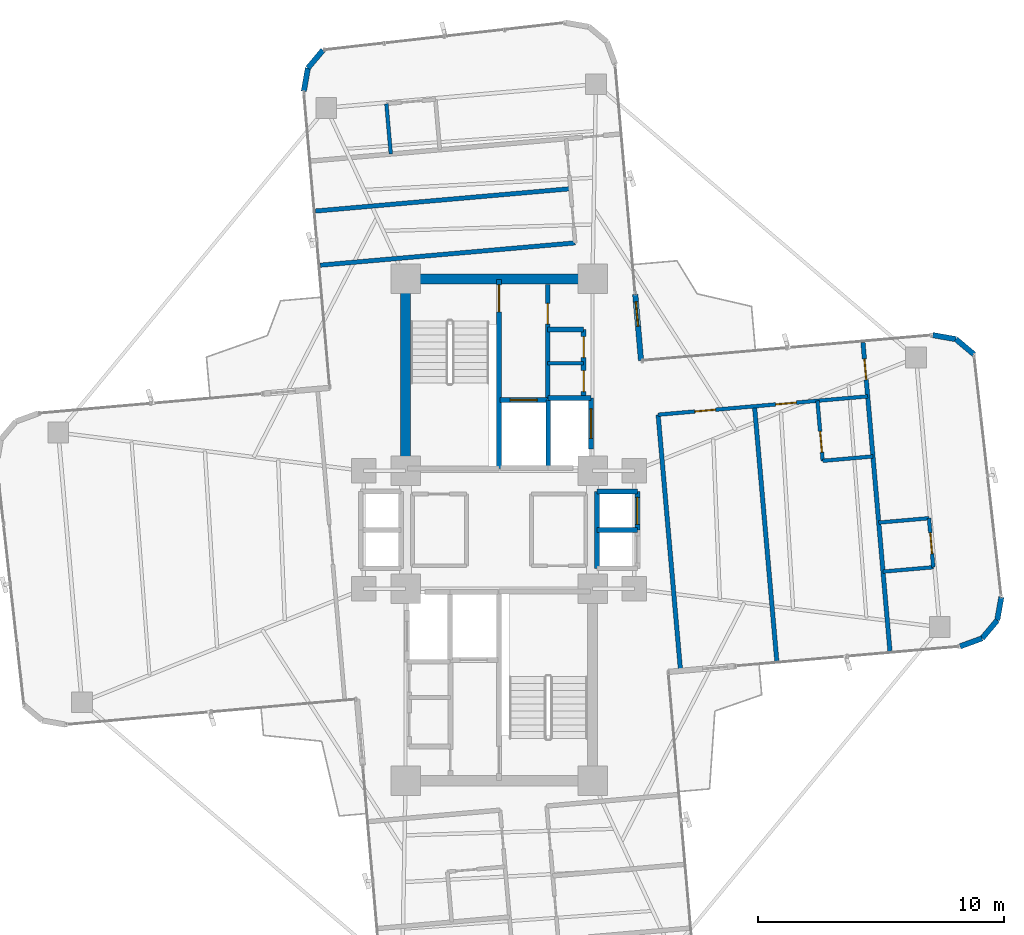
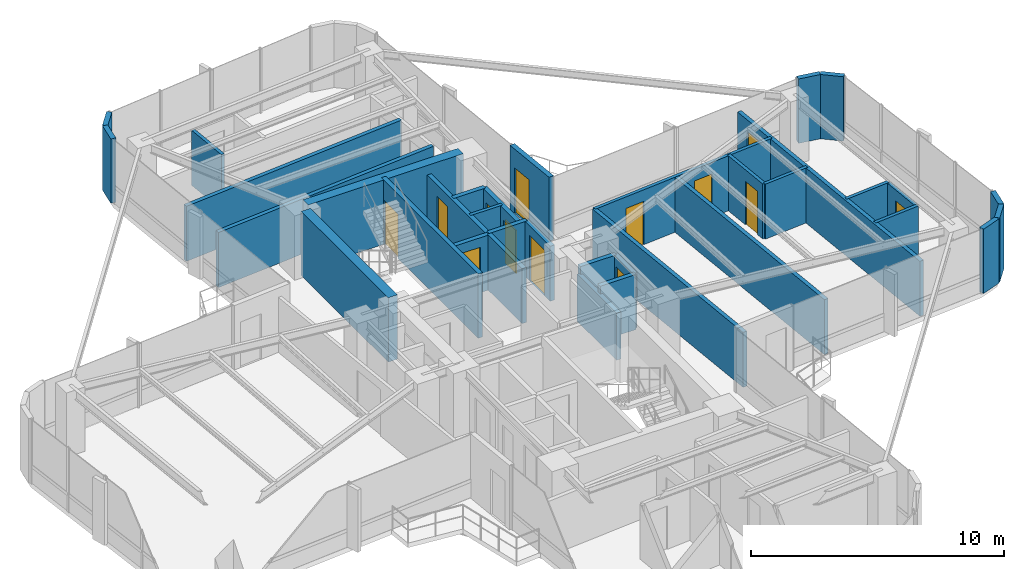
# One storey, part 22 of 24: 35 walls, 13 doors, 13 openings.
"""IFC4 building model written with IfcOpenShell, lengths in metres."""

from ifc_helpers import new_model, si_unit, direction, frame, frame_2d, origin, origin_2d, place, context, subcontext, project, spatial, rectangle, extrude, source, transform, mapped, material, layer, layer_set, type_object, element, fill, save


model = new_model("IFC4")

# Units and contexts
model_context = context("Model", 3, precision=1e-05, world=origin(), true_north=direction((0.0, 1.0)))
body_context = subcontext(model_context, "Body", "Model", "MODEL_VIEW")
ifc_project = project(units=[si_unit("LENGTHUNIT", "METRE"), si_unit("AREAUNIT", "SQUARE_METRE"), si_unit("VOLUMEUNIT", "CUBIC_METRE"), si_unit("PLANEANGLEUNIT", "RADIAN"), si_unit("MASSUNIT", "GRAM", prefix="KILO")], contexts=[model_context])

# Site, building, storey
site_placement = place(None, origin())
site = spatial("IfcSite", under=ifc_project, at=site_placement, CompositionType="ELEMENT")
building_placement = place(site_placement, origin())
building = spatial("IfcBuilding", under=site, at=building_placement, Name="Sahyath Konkavel Grand Hotel", CompositionType="ELEMENT")
storey_placement = place(building_placement, frame((0.0, 0.0, 150.60009765625)))
storey = spatial("IfcBuildingStorey", under=building, at=storey_placement, Name="L41", CompositionType="ELEMENT", Elevation=150.60009765625)

# Walls
ifc_material_1 = material(Name="Concrete C50/60", Category="concrete")
ifc_layer_1 = layer(ifc_material_1, 0.419921875)
ifc_layer_set_1 = layer_set([ifc_layer_1], Name="Concrete C50/60")
wall_type_1 = type_object("IfcWallType", Name="CWALL-420", PredefinedType="SHEAR", material=ifc_layer_set_1)
wall_1_placement = place(storey_placement, frame((-3.550048828125, 10.199951171875, 0.0), z_axis=(0.0, 0.0, 1.0), x_axis=(1.0, 0.0, 0.0)))
element("IfcWall", 1, at=wall_1_placement, inside=storey, type_object=wall_type_1, Name="L41 North Core Shear Wall N", PredefinedType="SHEAR", context=body_context, shape_type="SweptSolid", body=[
    extrude(rectangle(XDim=7.10009765625, YDim=0.419921875, at=frame_2d((3.550048828125, 0.0))), origin(), (0.0, 0.0, 1.0), 3.10986328125),
])
wall_2_placement = place(storey_placement, frame((-3.800048828125, 2.85009765625, 0.0), z_axis=(0.0, 0.0, 1.0), x_axis=(0.0, 1.0, 0.0)))
element("IfcWall", 2, at=wall_2_placement, inside=storey, type_object=wall_type_1, Name="L41 North Core Shear Wall W", PredefinedType="SHEAR", context=body_context, shape_type="SweptSolid", body=[
    extrude(rectangle(XDim=6.89990234375, YDim=0.419921875, at=frame_2d((3.449951171875, 0.0))), origin(), (0.0, 0.0, 1.0), 3.10986328125),
])
ifc_material_2 = material(Name="Warm Buff Sandstone Insulated Concrete C40/50", Category="masonry")
ifc_layer_2 = layer(ifc_material_2, 0.219970703125)
ifc_layer_set_2 = layer_set([ifc_layer_2], Name="Warm Buff Sandstone Insulated Concrete C40/50")
wall_type_2 = type_object("IfcWallType", Name="WLL-BALC-THRESH", PredefinedType="STANDARD", material=ifc_layer_set_2)
wall_3_placement = place(storey_placement, frame((18.73388671875, -4.735107421875, 0.0), z_axis=(0.0, 0.0, 1.0), x_axis=(0.939741306239, 0.34188635151, 0.0)))
element("IfcWall", 3, at=wall_3_placement, inside=storey, type_object=wall_type_2, Name="L41 Rounded Corner Sandstone Pier 1", PredefinedType="STANDARD", context=body_context, shape_type="SweptSolid", body=[
    extrude(rectangle(XDim=0.95751953125, YDim=0.219970703125, at=frame_2d((0.478759765625, 0.0))), origin(), (0.0, 0.0, 1.0), 3.10986328125),
])
for number, where, z_axis, x_axis, name in (
    (4, (19.6337890625, -4.40771484375, 0.0), (0.0, 0.0, 1.0), (0.642863236823, 0.765980978054, 0.0), "L41 Rounded Corner Sandstone Pier 2"),
    (5, (20.24951171875, -3.674072265625, 0.0), (0.0, 0.0, 1.0), (0.173610811841, 0.984814340885, 0.0), "L41 Rounded Corner Sandstone Pier 3"),
):
    element("IfcWall", number, at=place(storey_placement, frame(where, z_axis=z_axis, x_axis=x_axis)), inside=storey, type_object=wall_type_2, Name=name, PredefinedType="STANDARD", context=body_context, shape_type="SweptSolid", body=[
        extrude(rectangle(XDim=0.957763671875, YDim=0.219970703125, at=frame_2d((0.47900390625, 0.0))), origin(), (0.0, 0.0, 1.0), 3.10986328125),
    ])
wall_4_placement = place(storey_placement, frame((19.3037109375, 7.134521484375, 0.0), z_axis=(0.0, 0.0, 1.0), x_axis=(-0.766001159887, 0.642839189107, 0.0)))
element("IfcWall", 6, at=wall_4_placement, inside=storey, type_object=wall_type_2, Name="L41 Rounded Corner Sandstone Pier 5", PredefinedType="STANDARD", context=body_context, shape_type="SweptSolid", body=[
    extrude(rectangle(XDim=0.95751953125, YDim=0.219970703125, at=frame_2d((0.478759765625, 0.0))), origin(), (0.0, 0.0, 1.0), 3.10986328125),
])
wall_5_placement = place(storey_placement, frame((18.5703125, 7.75, 0.0), z_axis=(0.0, 0.0, 1.0), x_axis=(-0.984770724397, 0.173858046606, 0.0)))
element("IfcWall", 7, at=wall_5_placement, inside=storey, type_object=wall_type_2, Name="L41 Rounded Corner Sandstone Pier 6", PredefinedType="STANDARD", context=body_context, shape_type="SweptSolid", body=[
    extrude(rectangle(XDim=0.957763671875, YDim=0.219970703125, at=frame_2d((0.47900390625, 0.0))), origin(), (0.0, 0.0, 1.0), 3.10986328125),
])

# Wall, opening, door
wall_6_placement = place(storey_placement, frame((5.7724609375, 6.87939453125, 0.0), z_axis=(0.0, 0.0, 1.0), x_axis=(-0.087168071984, 0.996193619346, 0.0)))
wall_6 = element("IfcWall", 8, at=wall_6_placement, inside=storey, type_object=wall_type_2, Name="L41 Winter-Garden Threshold Wall 8", PredefinedType="STANDARD", context=body_context, shape_type="SweptSolid", body=[
    extrude(rectangle(XDim=2.699951171875, YDim=0.219970703125, at=frame_2d((1.35009765625, 0.0))), origin(), (0.0, 0.0, 1.0), 3.10986328125),
])
opening_1_placement = place(wall_6_placement, frame((1.39990234375, 0.0, 0.0)))
opening_1 = element("IfcOpeningElement", 9, at=opening_1_placement, cuts=wall_6, Name="Opening D-TR1", PredefinedType="OPENING", context=body_context, shape_type="SweptSolid", body=[
    extrude(rectangle(XDim=1.0, YDim=2.199951171875, at=frame_2d((0.5, 1.10009765625))), frame((0.0, 0.1201171875, 0.0), z_axis=(0.0, -1.0, 0.0), x_axis=(1.0, 0.0, 0.0)), (0.0, 0.0, 1.0), 0.239990234375),
])
ifc_material_3 = material(Name="Anodised Bronze Aluminium & Low-E Glazing", Category="aluminium")
door_type_1 = type_object("IfcDoorType", Name="DR-TERRACE-1000", OperationType="NOTDEFINED", PredefinedType="DOOR", material=ifc_material_3)
shared_shape_1 = source(origin(), body_context, "Body", "SweptSolid", [
    extrude(rectangle(XDim=1.0, YDim=0.050048828125, at=origin_2d()), origin(), (0.0, 0.0, 1.0), 2.199951171875),
])
door_1_placement = place(opening_1_placement, frame((0.5, 0.0, 0.0)))
door_1 = element("IfcDoor", 10, at=door_1_placement, inside=storey, type_object=door_type_1, Name="L41 Winter-Garden Terrace Door 8", OperationType="SINGLE_SWING_LEFT", OverallHeight=2.199951171875, OverallWidth=1.0, PredefinedType="DOOR", context=body_context, shape_type="MappedRepresentation", body=[
    mapped(shared_shape_1, transform((0.0, 0.0, 0.0), scale=1.0)),
])
fill(opening_1, door_1)

# Walls
for number, where, z_axis, x_axis, name in (
    (11, (-7.152099609375, 19.5029296875, 0.0), (0.0, 0.0, 1.0), (-0.642713642115, -0.766106503196, 0.0), "L41 Rounded Corner Sandstone Pier 13"),
    (12, (-7.767578125, 18.769287109375, 0.0), (0.0, 0.0, 1.0), (-0.173654409999, -0.984806654064, 0.0), "L41 Rounded Corner Sandstone Pier 14"),
):
    element("IfcWall", number, at=place(storey_placement, frame(where, z_axis=z_axis, x_axis=x_axis)), inside=storey, type_object=wall_type_2, Name=name, PredefinedType="STANDARD", context=body_context, shape_type="SweptSolid", body=[
        extrude(rectangle(XDim=0.95751953125, YDim=0.219970703125, at=frame_2d((0.478759765625, 0.0))), origin(), (0.0, 0.0, 1.0), 3.10986328125),
    ])

# Wall, opening, door
ifc_material_4 = material(Name="Concrete C40/50", Category="concrete")
ifc_layer_3 = layer(ifc_material_4, 0.199951171875)
ifc_layer_set_3 = layer_set([ifc_layer_3], Name="Concrete C40/50")
wall_type_3 = type_object("IfcWallType", Name="WLL-CORE-200", PredefinedType="SOLIDWALL", material=ifc_layer_set_3)
wall_7_placement = place(storey_placement, frame((0.0, 2.5, 0.0), z_axis=(0.0, 0.0, 1.0), x_axis=(0.0, 1.0, 0.0)))
wall_7 = element("IfcWall", 13, at=wall_7_placement, inside=storey, type_object=wall_type_3, Name="L41 Stair ST-1 Shaft Wall E", PredefinedType="SOLIDWALL", context=body_context, shape_type="SweptSolid", body=[
    extrude(rectangle(XDim=7.679931640625, YDim=0.199951171875, at=frame_2d((3.83984375, 0.0))), origin(), (0.0, 0.0, 1.0), 3.10986328125),
])
opening_2_placement = place(wall_7_placement, frame((6.360107421875, 0.0, 0.0)))
opening_2 = element("IfcOpeningElement", 14, at=opening_2_placement, cuts=wall_7, Name="Opening D-F12B", PredefinedType="OPENING", context=body_context, shape_type="SweptSolid", body=[
    extrude(rectangle(XDim=1.10009765625, YDim=2.14990234375, at=frame_2d((0.550048828125, 1.074951171875))), frame((0.0, 0.10986328125, 0.0), z_axis=(0.0, -1.0, 0.0), x_axis=(1.0, 0.0, 0.0)), (0.0, 0.0, 1.0), 0.219970703125),
])
ifc_material_5 = material(Name="Steel E350 Smokeproof Fire Door", Category="steel")
door_type_2 = type_object("IfcDoorType", Name="DR-FD120-1100", OperationType="NOTDEFINED", PredefinedType="DOOR", material=ifc_material_5)
shared_shape_2 = source(origin(), body_context, "Body", "SweptSolid", [
    extrude(rectangle(XDim=1.10009765625, YDim=0.050048828125, at=origin_2d()), origin(), (0.0, 0.0, 1.0), 2.14990234375),
])
door_2_placement = place(opening_2_placement, frame((0.550048828125, 0.0, 0.0)))
door_2 = element("IfcDoor", 15, at=door_2_placement, inside=storey, type_object=door_type_2, Name="L41 Stair ST-1 Fire Door", OperationType="SINGLE_SWING_LEFT", OverallHeight=2.14990234375, OverallWidth=1.10009765625, PredefinedType="DOOR", context=body_context, shape_type="MappedRepresentation", body=[
    mapped(shared_shape_2, transform((0.0, 0.0, 0.0), scale=1.0)),
])
fill(opening_2, door_2)

wall_8_placement = place(storey_placement, frame((1.97998046875, 5.320068359375, 0.0), z_axis=(0.0, 0.0, 1.0), x_axis=(0.0, 1.0, 0.0)))
wall_8 = element("IfcWall", 16, at=wall_8_placement, inside=storey, type_object=wall_type_3, Name="L41 North Firefighting Lobby Wall E", PredefinedType="SOLIDWALL", context=body_context, shape_type="SweptSolid", body=[
    extrude(rectangle(XDim=4.659912109375, YDim=0.199951171875, at=frame_2d((2.330078125, 0.0))), origin(), (0.0, 0.0, 1.0), 2.659912109375),
])
opening_3_placement = place(wall_8_placement, frame((3.0400390625, 0.0, 0.0)))
opening_3 = element("IfcOpeningElement", 17, at=opening_3_placement, cuts=wall_8, Name="Opening D-F12D", PredefinedType="OPENING", context=body_context, shape_type="SweptSolid", body=[
    extrude(rectangle(XDim=0.85009765625, YDim=2.10009765625, at=frame_2d((0.425048828125, 1.050048828125))), frame((0.0, 0.10986328125, 0.0), z_axis=(0.0, -1.0, 0.0), x_axis=(1.0, 0.0, 0.0)), (0.0, 0.0, 1.0), 0.219970703125),
])
ifc_material_6 = material(Name="Steel E350 Core Fire Door", Category="steel")
door_type_3 = type_object("IfcDoorType", Name="DR-FD120-850", OperationType="NOTDEFINED", PredefinedType="DOOR", material=ifc_material_6)
shared_shape_3 = source(origin(), body_context, "Body", "SweptSolid", [
    extrude(rectangle(XDim=0.85009765625, YDim=0.050048828125, at=origin_2d()), origin(), (0.0, 0.0, 1.0), 2.10009765625),
])
door_3_placement = place(opening_3_placement, frame((0.425048828125, 0.0, 0.0)))
door_3 = element("IfcDoor", 18, at=door_3_placement, inside=storey, type_object=door_type_3, Name="L41 North Firefighting Lobby Door", OperationType="SINGLE_SWING_LEFT", OverallHeight=2.10009765625, OverallWidth=0.85009765625, PredefinedType="DOOR", context=body_context, shape_type="MappedRepresentation", body=[
    mapped(shared_shape_3, transform((0.0, 0.0, 0.0), scale=1.0)),
])
fill(opening_3, door_3)

# Wall
wall_9_placement = place(storey_placement, frame((2.0, 2.5, 0.0), z_axis=(0.0, 0.0, 1.0), x_axis=(0.0, 1.0, 0.0)))
element("IfcWall", 19, at=wall_9_placement, inside=storey, type_object=wall_type_3, Name="L41 Partition SH-FFL1-E", PredefinedType="SOLIDWALL", context=body_context, shape_type="SweptSolid", body=[
    extrude(rectangle(XDim=2.780029296875, YDim=0.199951171875, at=frame_2d((1.39013671875, 0.0))), origin(), (0.0, 0.0, 1.0), 2.659912109375),
])

# Wall, opening, door
wall_10_placement = place(storey_placement, frame((0.050048828125, 5.280029296875, 0.0), z_axis=(0.0, 0.0, 1.0), x_axis=(1.0, 0.0, 0.0)))
wall_10 = element("IfcWall", 20, at=wall_10_placement, inside=storey, type_object=wall_type_3, Name="L41 Partition SH-FFL1-N", PredefinedType="SOLIDWALL", context=body_context, shape_type="SweptSolid", body=[
    extrude(rectangle(XDim=1.929931640625, YDim=0.199951171875, at=frame_2d((0.96484375, 0.0))), origin(), (0.0, 0.0, 1.0), 2.659912109375),
])
opening_4_placement = place(wall_10_placement, frame((0.39990234375, 0.0, 0.0)))
opening_4 = element("IfcOpeningElement", 21, at=opening_4_placement, cuts=wall_10, Name="Opening LD-11", PredefinedType="OPENING", context=body_context, shape_type="SweptSolid", body=[
    extrude(rectangle(XDim=1.10009765625, YDim=2.199951171875, at=frame_2d((0.550048828125, 1.10009765625))), frame((0.0, 0.10986328125, 0.0), z_axis=(0.0, -1.0, 0.0), x_axis=(1.0, 0.0, 0.0)), (0.0, 0.0, 1.0), 0.219970703125),
])
ifc_material_7 = material(Name="Bronze Lift Landing Door 1100")
door_type_4 = type_object("IfcDoorType", Name="DR-LIFT-1100", OperationType="DOUBLE_DOOR_SLIDING", PredefinedType="DOOR", material=ifc_material_7)
shared_shape_4 = source(origin(), body_context, "Body", "SweptSolid", [
    extrude(rectangle(XDim=1.10009765625, YDim=0.050048828125, at=origin_2d()), origin(), (0.0, 0.0, 1.0), 2.199951171875),
])
door_4_placement = place(opening_4_placement, frame((0.550048828125, 0.0, 0.0)))
door_4 = element("IfcDoor", 22, at=door_4_placement, inside=storey, type_object=door_type_4, Name="L41 Lift FFL-1 Landing Door", OperationType="DOUBLE_DOOR_SLIDING", OverallHeight=2.199951171875, OverallWidth=1.10009765625, PredefinedType="DOOR", context=body_context, shape_type="MappedRepresentation", body=[
    mapped(shared_shape_4, transform((0.0, 0.0, 0.0), scale=1.0)),
])
fill(opening_4, door_4)

# Wall
wall_11_placement = place(storey_placement, frame((2.0, 5.360107421875, 0.0), z_axis=(0.0, 0.0, 1.0), x_axis=(1.0, 0.0, 0.0)))
element("IfcWall", 23, at=wall_11_placement, inside=storey, type_object=wall_type_3, Name="L41 Partition SH-SVL1-N", PredefinedType="SOLIDWALL", context=body_context, shape_type="SweptSolid", body=[
    extrude(rectangle(XDim=1.739990234375, YDim=0.199951171875, at=frame_2d((0.8701171875, 0.0))), origin(), (0.0, 0.0, 1.0), 2.659912109375),
])

# Wall, opening, door
wall_12_placement = place(storey_placement, frame((3.739990234375, 3.280029296875, 0.0), z_axis=(0.0, 0.0, 1.0), x_axis=(0.0, 1.0, 0.0)))
wall_12 = element("IfcWall", 24, at=wall_12_placement, inside=storey, type_object=wall_type_3, Name="L41 Partition SH-SVL1-E", PredefinedType="SOLIDWALL", context=body_context, shape_type="SweptSolid", body=[
    extrude(rectangle(XDim=2.080078125, YDim=0.199951171875, at=frame_2d((1.0400390625, 0.0))), origin(), (0.0, 0.0, 1.0), 2.659912109375),
])
opening_5_placement = place(wall_12_placement, frame((0.43994140625, 0.0, 0.0)))
opening_5 = element("IfcOpeningElement", 25, at=opening_5_placement, cuts=wall_12, Name="Opening LD-12", PredefinedType="OPENING", context=body_context, shape_type="SweptSolid", body=[
    extrude(rectangle(XDim=1.199951171875, YDim=2.199951171875, at=frame_2d((0.60009765625, 1.10009765625))), frame((0.0, 0.10986328125, 0.0), z_axis=(0.0, -1.0, 0.0), x_axis=(1.0, 0.0, 0.0)), (0.0, 0.0, 1.0), 0.219970703125),
])
ifc_material_8 = material(Name="Stainless Steel Lift Landing Door 1200", Category="steel")
door_type_5 = type_object("IfcDoorType", Name="DR-LIFT-1200", OperationType="DOUBLE_DOOR_SLIDING", PredefinedType="DOOR", material=ifc_material_8)
shared_shape_5 = source(origin(), body_context, "Body", "SweptSolid", [
    extrude(rectangle(XDim=1.199951171875, YDim=0.050048828125, at=origin_2d()), origin(), (0.0, 0.0, 1.0), 2.199951171875),
])
door_5_placement = place(opening_5_placement, frame((0.60009765625, 0.0, 0.0)))
door_5 = element("IfcDoor", 26, at=door_5_placement, inside=storey, type_object=door_type_5, Name="L41 Service Lift SVL-1 Landing Door", OperationType="DOUBLE_DOOR_SLIDING", OverallHeight=2.199951171875, OverallWidth=1.199951171875, PredefinedType="DOOR", context=body_context, shape_type="MappedRepresentation", body=[
    mapped(shared_shape_5, transform((0.0, 0.0, 0.0), scale=1.0)),
])
fill(opening_5, door_5)

# Walls
wall_13_placement = place(storey_placement, frame((3.97998046875, -1.56005859375, 0.0), z_axis=(0.0, 0.0, 1.0), x_axis=(0.0, 1.0, 0.0)))
element("IfcWall", 27, at=wall_13_placement, inside=storey, type_object=wall_type_3, Name="L41 Partition SH-PL56-W", PredefinedType="SOLIDWALL", context=body_context, shape_type="SweptSolid", body=[
    extrude(rectangle(XDim=3.1201171875, YDim=0.199951171875, at=frame_2d((1.56005859375, 0.0))), origin(), (0.0, 0.0, 1.0), 2.27978515625),
])
for number, where, z_axis, x_axis, name in (
    (28, (3.97998046875, 1.56005859375, 0.0), (0.0, 0.0, 1.0), (1.0, 0.0, 0.0), "L41 Partition SH-PL56-N"),
    (29, (3.97998046875, 0.0, 0.0), (0.0, 0.0, 1.0), (1.0, 0.0, 0.0), "L41 Partition SH-PL56-M"),
):
    element("IfcWall", number, at=place(storey_placement, frame(where, z_axis=z_axis, x_axis=x_axis)), inside=storey, type_object=wall_type_3, Name=name, PredefinedType="SOLIDWALL", context=body_context, shape_type="SweptSolid", body=[
        extrude(rectangle(XDim=1.64013671875, YDim=0.199951171875, at=frame_2d((0.820068359375, 0.0))), origin(), (0.0, 0.0, 1.0), 2.659912109375),
    ])

# Wall, opening, door
wall_14_placement = place(storey_placement, frame((5.6201171875, 0.0, 0.0), z_axis=(0.0, 0.0, 1.0), x_axis=(0.0, 1.0, 0.0)))
wall_14 = element("IfcWall", 30, at=wall_14_placement, inside=storey, type_object=wall_type_3, Name="L41 Partition SH-PL5-E", PredefinedType="SOLIDWALL", context=body_context, shape_type="SweptSolid", body=[
    extrude(rectangle(XDim=1.56005859375, YDim=0.199951171875, at=frame_2d((0.780029296875, 0.0))), origin(), (0.0, 0.0, 1.0), 2.659912109375),
])
opening_6_placement = place(wall_14_placement, frame((0.219970703125, 0.0, 0.0)))
opening_6 = element("IfcOpeningElement", 31, at=opening_6_placement, cuts=wall_14, Name="Opening LD-11", PredefinedType="OPENING", context=body_context, shape_type="SweptSolid", body=[
    extrude(rectangle(XDim=1.10009765625, YDim=2.199951171875, at=frame_2d((0.550048828125, 1.10009765625))), frame((0.0, 0.10986328125, 0.0), z_axis=(0.0, -1.0, 0.0), x_axis=(1.0, 0.0, 0.0)), (0.0, 0.0, 1.0), 0.219970703125),
])
door_6_placement = place(opening_6_placement, frame((0.550048828125, 0.0, 0.0)))
door_6 = element("IfcDoor", 32, at=door_6_placement, inside=storey, type_object=door_type_4, Name="L41 High-Rise Lift PL-5 Landing Door", OperationType="DOUBLE_DOOR_SLIDING", OverallHeight=2.199951171875, OverallWidth=1.10009765625, PredefinedType="DOOR", context=body_context, shape_type="MappedRepresentation", body=[
    mapped(shared_shape_4, transform((0.0, 0.0, 0.0), scale=1.0)),
])
fill(opening_6, door_6)

# Wall, openings, doors
wall_15_placement = place(storey_placement, frame((3.43994140625, 5.3798828125, 0.0), z_axis=(0.0, 0.0, 1.0), x_axis=(0.0, 1.0, 0.0)))
wall_15 = element("IfcWall", 33, at=wall_15_placement, inside=storey, type_object=wall_type_3, Name="L41 Reclaimed North Core Wall E", PredefinedType="SOLIDWALL", context=body_context, shape_type="SweptSolid", body=[
    extrude(rectangle(XDim=2.77001953125, YDim=0.199951171875, at=frame_2d((1.385009765625, 0.0))), origin(), (0.0, 0.0, 1.0), 2.659912109375),
])
opening_7_placement = place(wall_15_placement, frame((0.239990234375, 0.0, 0.0)))
opening_7 = element("IfcOpeningElement", 34, at=opening_7_placement, cuts=wall_15, Name="Opening D-F06D", PredefinedType="OPENING", context=body_context, shape_type="SweptSolid", body=[
    extrude(rectangle(XDim=0.85009765625, YDim=2.10009765625, at=frame_2d((0.425048828125, 1.050048828125))), frame((0.0, 0.10986328125, 0.0), z_axis=(0.0, -1.0, 0.0), x_axis=(1.0, 0.0, 0.0)), (0.0, 0.0, 1.0), 0.219970703125),
])
opening_8_placement = place(wall_15_placement, frame((1.6201171875, 0.0, 0.0)))
opening_8 = element("IfcOpeningElement", 35, at=opening_8_placement, cuts=wall_15, Name="Opening D-F06D", PredefinedType="OPENING", context=body_context, shape_type="SweptSolid", body=[
    extrude(rectangle(XDim=0.85009765625, YDim=2.10009765625, at=frame_2d((0.425048828125, 1.050048828125))), frame((0.0, 0.10986328125, 0.0), z_axis=(0.0, -1.0, 0.0), x_axis=(1.0, 0.0, 0.0)), (0.0, 0.0, 1.0), 0.219970703125),
])
ifc_material_9 = material(Name="Fire-Rated Shaft Access Door")
door_type_6 = type_object("IfcDoorType", Name="DR-FD60-850", OperationType="NOTDEFINED", PredefinedType="DOOR", material=ifc_material_9)
door_7_placement = place(opening_7_placement, frame((0.425048828125, 0.0, 0.0)))
door_7 = element("IfcDoor", 36, at=door_7_placement, inside=storey, type_object=door_type_6, Name="L41 Door NC-REC1-D", OperationType="SINGLE_SWING_LEFT", OverallHeight=2.10009765625, OverallWidth=0.85009765625, PredefinedType="DOOR", context=body_context, shape_type="MappedRepresentation", body=[
    mapped(shared_shape_3, transform((0.0, 0.0, 0.0), scale=1.0)),
])
fill(opening_7, door_7)
door_8_placement = place(opening_8_placement, frame((0.425048828125, 0.0, 0.0)))
door_8 = element("IfcDoor", 37, at=door_8_placement, inside=storey, type_object=door_type_6, Name="L41 Door NC-REC2-D", OperationType="SINGLE_SWING_RIGHT", OverallHeight=2.10009765625, OverallWidth=0.85009765625, PredefinedType="DOOR", context=body_context, shape_type="MappedRepresentation", body=[
    mapped(shared_shape_3, transform((0.0, 0.0, 0.0), scale=1.0)),
])
fill(opening_8, door_8)

# Walls
wall_16_placement = place(storey_placement, frame((1.97998046875, 8.14990234375, 0.0), z_axis=(0.0, 0.0, 1.0), x_axis=(1.0, 0.0, 0.0)))
element("IfcWall", 38, at=wall_16_placement, inside=storey, type_object=wall_type_3, Name="L41 Partition NC-REC-N", PredefinedType="SOLIDWALL", context=body_context, shape_type="SweptSolid", body=[
    extrude(rectangle(XDim=1.4599609375, YDim=0.199951171875, at=frame_2d((0.72998046875, 0.0))), origin(), (0.0, 0.0, 1.0), 2.659912109375),
])
ifc_material_10 = material(Name="Twin-Stud Acoustic Gypsum Plasterboard Partition")
ifc_layer_4 = layer(ifc_material_10, 0.179931640625)
ifc_layer_set_4 = layer_set([ifc_layer_4], Name="Twin-Stud Acoustic Gypsum Plasterboard Partition")
wall_type_4 = type_object("IfcWallType", Name="WLL-DEMISE-180", PredefinedType="PARTITIONING", material=ifc_layer_set_4)
for number, where, z_axis, x_axis, name in (
    (39, (7.373046875, -5.678955078125, 0.0), (0.0, 0.0, 1.0), (-0.087163455754, 0.996194023261, 0.0), "L41 Partition E-G5I"),
    (40, (10.384521484375, 5.024169921875, 0.0), (0.0, 0.0, 1.0), (0.087163455754, -0.996194023261, 0.0), "L41 Partition E-ED1-DEM"),
):
    element("IfcWall", number, at=place(storey_placement, frame(where, z_axis=z_axis, x_axis=x_axis)), inside=storey, type_object=wall_type_4, Name=name, PredefinedType="PARTITIONING", context=body_context, shape_type="SweptSolid", body=[
        extrude(rectangle(XDim=10.39990234375, YDim=0.179931640625, at=frame_2d((5.199951171875, 0.0))), origin(), (0.0, 0.0, 1.0), 2.659912109375),
    ])

# Wall, opening, door
wall_17_placement = place(storey_placement, frame((15.890380859375, -4.933837890625, 0.0), z_axis=(0.0, 0.0, 1.0), x_axis=(-0.087154691724, 0.996194790044, 0.0)))
wall_17 = element("IfcWall", 41, at=wall_17_placement, inside=storey, type_object=wall_type_4, Name="L41 Partition E-ETIP-END", PredefinedType="PARTITIONING", context=body_context, shape_type="SweptSolid", body=[
    extrude(rectangle(XDim=12.599853515625, YDim=0.179931640625, at=frame_2d((6.2998046875, 0.0))), origin(), (0.0, 0.0, 1.0), 2.659912109375),
])
opening_9_placement = place(wall_17_placement, frame((11.074951171875, 0.0, 0.0)))
opening_9 = element("IfcOpeningElement", 42, at=opening_9_placement, cuts=wall_17, Name="Opening D-F06D", PredefinedType="OPENING", context=body_context, shape_type="SweptSolid", body=[
    extrude(rectangle(XDim=0.85009765625, YDim=2.10009765625, at=frame_2d((0.425048828125, 1.050048828125))), frame((0.0, 0.10009765625, 0.0), z_axis=(0.0, -1.0, 0.0), x_axis=(1.0, 0.0, 0.0)), (0.0, 0.0, 1.0), 0.199951171875),
])
door_9_placement = place(opening_9_placement, frame((0.425048828125, 0.0, 0.0)))
door_9 = element("IfcDoor", 43, at=door_9_placement, inside=storey, type_object=door_type_6, Name="L41 Door E-ETIP-ED", OperationType="SINGLE_SWING_LEFT", OverallHeight=2.10009765625, OverallWidth=0.85009765625, PredefinedType="DOOR", context=body_context, shape_type="MappedRepresentation", body=[
    mapped(shared_shape_3, transform((0.0, 0.0, 0.0), scale=1.0)),
])
fill(opening_9, door_9)

# Walls
wall_18_placement = place(storey_placement, frame((3.09521484375, 11.6640625, 0.0), z_axis=(0.0, 0.0, 1.0), x_axis=(-0.996196061386, -0.087140158824, 0.0)))
element("IfcWall", 44, at=wall_18_placement, inside=storey, type_object=wall_type_4, Name="L41 Partition N-G6I", PredefinedType="PARTITIONING", context=body_context, shape_type="SweptSolid", body=[
    extrude(rectangle(XDim=10.39990234375, YDim=0.179931640625, at=frame_2d((5.199951171875, 0.0))), origin(), (0.0, 0.0, 1.0), 2.659912109375),
])
wall_19_placement = place(storey_placement, frame((2.902587890625, 13.86572265625, 0.0), z_axis=(0.0, 0.0, 1.0), x_axis=(-0.996194201607, -0.087161417409, 0.0)))
element("IfcWall", 45, at=wall_19_placement, inside=storey, type_object=wall_type_4, Name="L41 Partition N-NSL6-DEM", PredefinedType="PARTITIONING", context=body_context, shape_type="SweptSolid", body=[
    extrude(rectangle(XDim=10.400146484375, YDim=0.179931640625, at=frame_2d((5.2001953125, 0.0))), origin(), (0.0, 0.0, 1.0), 2.659912109375),
])
ifc_material_11 = material(Name="Fire-Rated Gypsum Plasterboard Partition")
ifc_layer_5 = layer(ifc_material_11, 0.14990234375)
ifc_layer_set_5 = layer_set([ifc_layer_5], Name="Fire-Rated Gypsum Plasterboard Partition")
wall_type_5 = type_object("IfcWallType", Name="WLL-PART-150", PredefinedType="PARTITIONING", material=ifc_layer_set_5)
wall_20_placement = place(storey_placement, frame((1.97998046875, 6.77001953125, 0.0), z_axis=(0.0, 0.0, 1.0), x_axis=(1.0, 0.0, 0.0)))
element("IfcWall", 46, at=wall_20_placement, inside=storey, type_object=wall_type_5, Name="L41 Partition NC-REC-M1", PredefinedType="PARTITIONING", context=body_context, shape_type="SweptSolid", body=[
    extrude(rectangle(XDim=1.4599609375, YDim=0.14990234375, at=frame_2d((0.72998046875, 0.0))), origin(), (0.0, 0.0, 1.0), 2.659912109375),
])

# Wall, openings, doors
wall_21_placement = place(storey_placement, frame((6.466552734375, 4.681396484375, 0.0), z_axis=(0.0, 0.0, 1.0), x_axis=(0.996195452949, 0.087147114263, 0.0)))
wall_21 = element("IfcWall", 47, at=wall_21_placement, inside=storey, type_object=wall_type_5, Name="L41 Partition E-G5W", PredefinedType="PARTITIONING", context=body_context, shape_type="SweptSolid", body=[
    extrude(rectangle(XDim=8.550048828125, YDim=0.14990234375, at=frame_2d((4.27490234375, 0.0))), origin(), (0.0, 0.0, 1.0), 2.659912109375),
])
opening_10_placement = place(wall_21_placement, frame((1.490966796875, 0.0, 0.0)))
opening_10 = element("IfcOpeningElement", 48, at=opening_10_placement, cuts=wall_21, Name="Opening D-F06D", PredefinedType="OPENING", context=body_context, shape_type="SweptSolid", body=[
    extrude(rectangle(XDim=0.85009765625, YDim=2.10009765625, at=frame_2d((0.425048828125, 1.050048828125))), frame((0.0, 0.0849609375, 0.0), z_axis=(0.0, -1.0, 0.0), x_axis=(1.0, 0.0, 0.0)), (0.0, 0.0, 1.0), 0.169921875),
])
opening_11_placement = place(wall_21_placement, frame((4.7919921875, 0.0, 0.0)))
opening_11 = element("IfcOpeningElement", 49, at=opening_11_placement, cuts=wall_21, Name="Opening D-F06D", PredefinedType="OPENING", context=body_context, shape_type="SweptSolid", body=[
    extrude(rectangle(XDim=0.85009765625, YDim=2.10009765625, at=frame_2d((0.425048828125, 1.050048828125))), frame((0.0, 0.0849609375, 0.0), z_axis=(0.0, -1.0, 0.0), x_axis=(1.0, 0.0, 0.0)), (0.0, 0.0, 1.0), 0.169921875),
])
door_10_placement = place(opening_10_placement, frame((0.425048828125, 0.0, 0.0)))
door_10 = element("IfcDoor", 50, at=door_10_placement, inside=storey, type_object=door_type_6, Name="L41 Door E-ED1-D", OperationType="SINGLE_SWING_LEFT", OverallHeight=2.10009765625, OverallWidth=0.85009765625, PredefinedType="DOOR", context=body_context, shape_type="MappedRepresentation", body=[
    mapped(shared_shape_3, transform((0.0, 0.0, 0.0), scale=1.0)),
])
fill(opening_10, door_10)
door_11_placement = place(opening_11_placement, frame((0.425048828125, 0.0, 0.0)))
door_11 = element("IfcDoor", 51, at=door_11_placement, inside=storey, type_object=door_type_6, Name="L41 Door E-ED2-ED", OperationType="SINGLE_SWING_LEFT", OverallHeight=2.10009765625, OverallWidth=0.85009765625, PredefinedType="DOOR", context=body_context, shape_type="MappedRepresentation", body=[
    mapped(shared_shape_3, transform((0.0, 0.0, 0.0), scale=1.0)),
])
fill(opening_11, door_11)

# Wall, opening, door
wall_22_placement = place(storey_placement, frame((12.94189453125, 5.247802734375, 0.0), z_axis=(0.0, 0.0, 1.0), x_axis=(0.087201565829, -0.99619068803, 0.0)))
wall_22 = element("IfcWall", 52, at=wall_22_placement, inside=storey, type_object=wall_type_5, Name="L41 Partition E-ED2-BS", PredefinedType="PARTITIONING", context=body_context, shape_type="SweptSolid", body=[
    extrude(rectangle(XDim=2.44970703125, YDim=0.14990234375, at=frame_2d((1.224853515625, 0.0))), origin(), (0.0, 0.0, 1.0), 2.659912109375),
])
opening_12_placement = place(wall_22_placement, frame((1.25, 0.0, 0.0)))
opening_12 = element("IfcOpeningElement", 53, at=opening_12_placement, cuts=wall_22, Name="Opening D-BT85", PredefinedType="OPENING", context=body_context, shape_type="SweptSolid", body=[
    extrude(rectangle(XDim=0.85009765625, YDim=2.10009765625, at=frame_2d((0.425048828125, 1.050048828125))), frame((0.0, 0.0849609375, 0.0), z_axis=(0.0, -1.0, 0.0), x_axis=(1.0, 0.0, 0.0)), (0.0, 0.0, 1.0), 0.169921875),
])
ifc_material_12 = material(Name="Moisture-Resistant Teak Bathroom Door")
door_type_7 = type_object("IfcDoorType", Name="DR-BATH-850", OperationType="NOTDEFINED", PredefinedType="DOOR", material=ifc_material_12)
door_12_placement = place(opening_12_placement, frame((0.425048828125, 0.0, 0.0)))
door_12 = element("IfcDoor", 54, at=door_12_placement, inside=storey, type_object=door_type_7, Name="L41 Door E-ED2-BD", OperationType="SINGLE_SWING_RIGHT", OverallHeight=2.10009765625, OverallWidth=0.85009765625, PredefinedType="DOOR", context=body_context, shape_type="MappedRepresentation", body=[
    mapped(shared_shape_3, transform((0.0, 0.0, 0.0), scale=1.0)),
])
fill(opening_12, door_12)

# Walls
wall_23_placement = place(storey_placement, frame((13.155517578125, 2.807373046875, 0.0), z_axis=(0.0, 0.0, 1.0), x_axis=(0.99620250363, 0.087066478976, 0.0)))
element("IfcWall", 55, at=wall_23_placement, inside=storey, type_object=wall_type_5, Name="L41 Partition E-ED2-BF", PredefinedType="PARTITIONING", context=body_context, shape_type="SweptSolid", body=[
    extrude(rectangle(XDim=2.0498046875, YDim=0.14990234375, at=frame_2d((1.02490234375, 0.0))), origin(), (0.0, 0.0, 1.0), 2.659912109375),
])
for number, where, z_axis, x_axis, name in (
    (56, (15.432861328125, 0.296142578125, 0.0), (0.0, 0.0, 1.0), (0.99619307114, 0.087174336889, 0.0), "L41 Partition E-ETIP-BN"),
    (57, (15.607177734375, -1.6962890625, 0.0), (0.0, 0.0, 1.0), (0.99619307114, 0.087174336889, 0.0), "L41 Partition E-ETIP-BS"),
):
    element("IfcWall", number, at=place(storey_placement, frame(where, z_axis=z_axis, x_axis=x_axis)), inside=storey, type_object=wall_type_5, Name=name, PredefinedType="PARTITIONING", context=body_context, shape_type="SweptSolid", body=[
        extrude(rectangle(XDim=2.050048828125, YDim=0.14990234375, at=frame_2d((1.02490234375, 0.0))), origin(), (0.0, 0.0, 1.0), 2.659912109375),
    ])

# Wall, opening, door
wall_24_placement = place(storey_placement, frame((17.6494140625, -1.517578125, 0.0), z_axis=(0.0, 0.0, 1.0), x_axis=(-0.087156350505, 0.99619464492, 0.0)))
wall_24 = element("IfcWall", 58, at=wall_24_placement, inside=storey, type_object=wall_type_5, Name="L41 Partition E-ETIP-BE", PredefinedType="PARTITIONING", context=body_context, shape_type="SweptSolid", body=[
    extrude(rectangle(XDim=2.0, YDim=0.14990234375, at=frame_2d((1.0, 0.0))), origin(), (0.0, 0.0, 1.0), 2.6298828125),
])
opening_13_placement = place(wall_24_placement, frame((0.550048828125, 0.0, 0.0)))
opening_13 = element("IfcOpeningElement", 59, at=opening_13_placement, cuts=wall_24, Name="Opening D-BT85", PredefinedType="OPENING", context=body_context, shape_type="SweptSolid", body=[
    extrude(rectangle(XDim=0.85009765625, YDim=2.10009765625, at=frame_2d((0.425048828125, 1.050048828125))), frame((0.0, 0.0849609375, 0.0), z_axis=(0.0, -1.0, 0.0), x_axis=(1.0, 0.0, 0.0)), (0.0, 0.0, 1.0), 0.169921875),
])
door_13_placement = place(opening_13_placement, frame((0.425048828125, 0.0, 0.0)))
door_13 = element("IfcDoor", 60, at=door_13_placement, inside=storey, type_object=door_type_7, Name="L41 Door E-ETIP-BD", OperationType="SINGLE_SWING_RIGHT", OverallHeight=2.10009765625, OverallWidth=0.85009765625, PredefinedType="DOOR", context=body_context, shape_type="MappedRepresentation", body=[
    mapped(shared_shape_3, transform((0.0, 0.0, 0.0), scale=1.0)),
])
fill(opening_13, door_13)

# Wall
wall_25_placement = place(storey_placement, frame((-4.39794921875, 15.27490234375, 0.0), z_axis=(0.0, 0.0, 1.0), x_axis=(-0.087184680235, 0.996192165966, 0.0)))
element("IfcWall", 61, at=wall_25_placement, inside=storey, type_object=wall_type_5, Name="L41 Partition N-NTIP-BN", PredefinedType="PARTITIONING", context=body_context, shape_type="SweptSolid", body=[
    extrude(rectangle(XDim=2.0498046875, YDim=0.14990234375, at=frame_2d((1.02490234375, 0.0))), origin(), (0.0, 0.0, 1.0), 2.659912109375),
])

save(model, "model.ifc")
